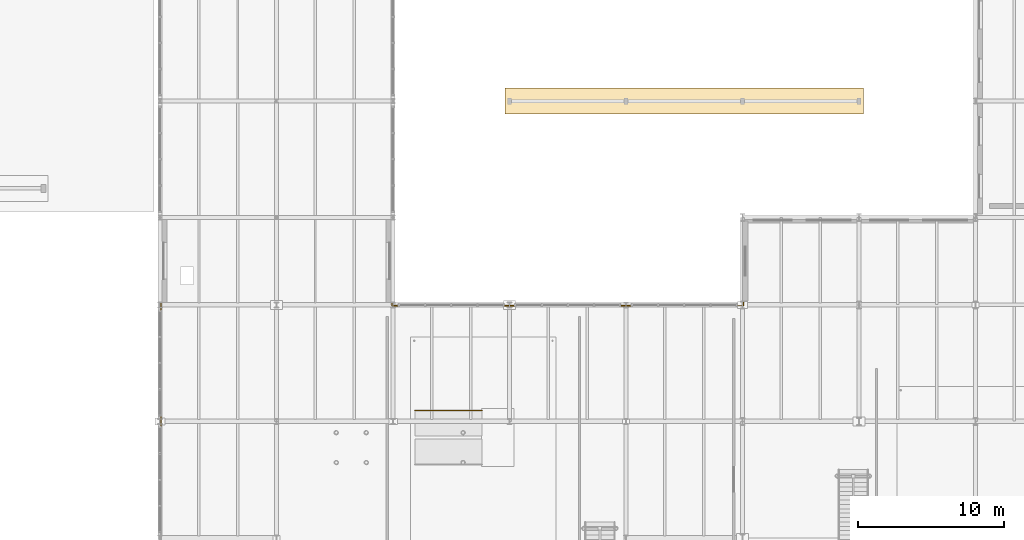
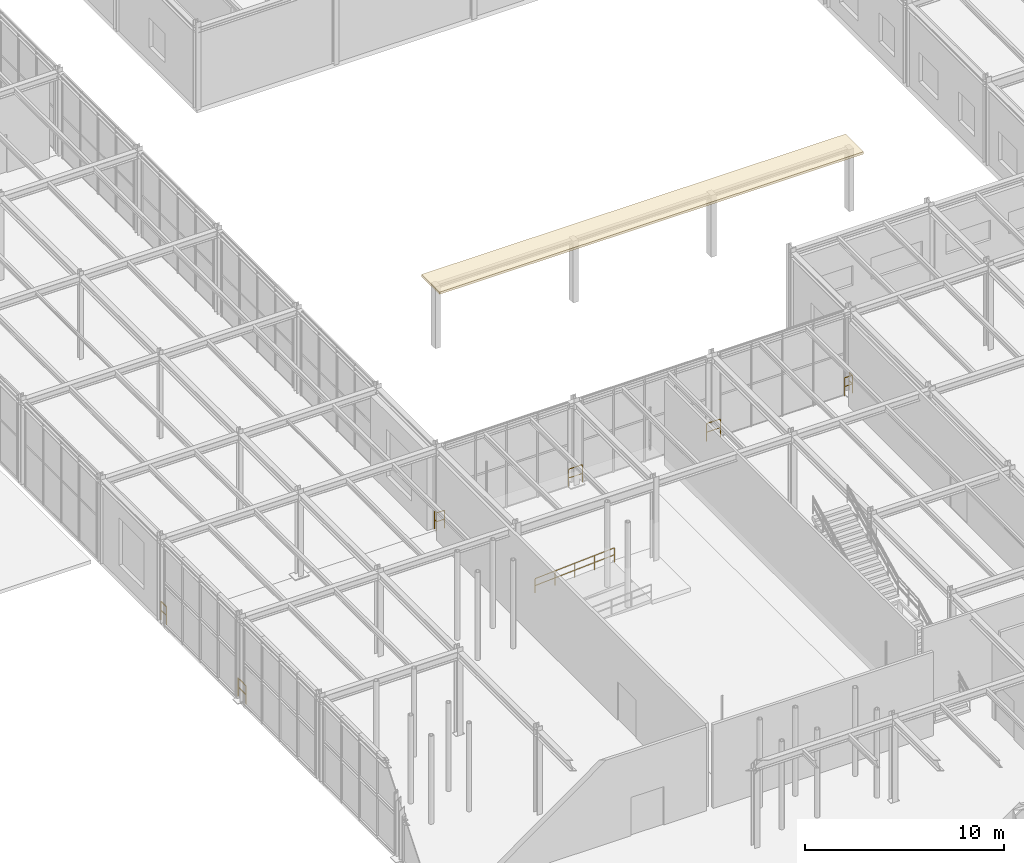
# One storey, part 115 of 129: 7 railings, 1 covering.
"""IFC4 building model written with IfcOpenShell, lengths in metres."""

from ifc_helpers import new_model, si_unit, direction, frame, origin, origin_2d, place, context, subcontext, project, spatial, rectangle, circle, extrude, material, layer, layer_set, type_object, element, save


model = new_model("IFC4")

# Units and contexts
model_context = context("Model", 3, precision=1e-05, world=origin(), true_north=direction((0.0, 1.0)))
body_context = subcontext(model_context, "Body", "Model", "MODEL_VIEW")
ifc_project = project(units=[si_unit("LENGTHUNIT", "METRE"), si_unit("AREAUNIT", "SQUARE_METRE"), si_unit("VOLUMEUNIT", "CUBIC_METRE"), si_unit("PLANEANGLEUNIT", "RADIAN"), si_unit("MASSUNIT", "GRAM", prefix="KILO")], contexts=[model_context])

# Site, building, storey
site_placement = place(None, origin())
site = spatial("IfcSite", under=ifc_project, at=site_placement, CompositionType="ELEMENT")
building_placement = place(site_placement, origin())
building = spatial("IfcBuilding", under=site, at=building_placement, Name="Sundkrona Museum", CompositionType="ELEMENT")
storey_placement = place(building_placement, origin())
storey = spatial("IfcBuildingStorey", under=building, at=storey_placement, Name="L00", CompositionType="ELEMENT", Elevation=0.0)

# Covering
ifc_material_1 = material(Name="Frost-Resistant Vitrified Stoneware Mosaic Cladding", Category="masonry")
ifc_layer = layer(ifc_material_1, 0.044921875)
ifc_layer_set = layer_set([ifc_layer], Name="Frost-Resistant Vitrified Stoneware Mosaic Cladding")
covering_type = type_object("IfcCoveringType", Name="COV-CLD-MOS", PredefinedType="CLADDING", material=ifc_layer_set)
covering_placement = place(storey_placement, frame((116.0, 54.0, 3.80029296875), z_axis=(0.0, 0.0, 1.0), x_axis=(1.0, 0.0, 0.0)))
element("IfcCovering", 1, at=covering_placement, inside=storey, type_object=covering_type, Name="Courtyard Cloister Colonnade Canopy SCN", PredefinedType="CLADDING", context=body_context, shape_type="SweptSolid", body=[
    extrude(rectangle(XDim=24.60009765625, YDim=1.800048828125, at=origin_2d()), origin(), (0.0, 0.0, 1.0), 0.139892578125),
])

# Railings
ifc_material_2 = material(Name="Painted Steel S355J2 and Laminated Glass Balustrade", Category="steel")
railing_type_1 = type_object("IfcRailingType", Name="RL-GUARD-1100", PredefinedType="BALUSTRADE", material=ifc_material_2)
railing_1_placement = place(storey_placement, frame((80.06005859375, 31.60009765625, 0.0)))
element("IfcRailing", 2, at=railing_1_placement, inside=storey, type_object=railing_type_1, Name="L00 Edge Protection Balustrade 016", PredefinedType="BALUSTRADE", context=body_context, shape_type="SweptSolid", body=[
    extrude(circle(Radius=0.02392578125, at=origin_2d()), frame((0.0, 0.0, 1.09619140625), z_axis=(0.0, 1.0, 0.0), x_axis=(-1.0, 0.0, 0.0)), (0.0, 0.0, 1.0), 0.7998046875),
    extrude(circle(Radius=0.02392578125, at=origin_2d()), frame((0.0, 0.0, 0.56005859375), z_axis=(0.0, 1.0, 0.0), x_axis=(-1.0, 0.0, 0.0)), (0.0, 0.0, 1.0), 0.7998046875),
    extrude(circle(Radius=0.02099609375, at=origin_2d()), origin(), (0.0, 0.0, 1.0), 1.072021484375),
    extrude(circle(Radius=0.02099609375, at=origin_2d()), frame((0.0, 0.7998046875, 0.0)), (0.0, 0.0, 1.0), 1.072021484375),
])
railing_2_placement = place(storey_placement, frame((80.06005859375, 39.60009765625, 0.0)))
element("IfcRailing", 3, at=railing_2_placement, inside=storey, type_object=railing_type_1, Name="L00 Edge Protection Balustrade 017", PredefinedType="BALUSTRADE", context=body_context, shape_type="SweptSolid", body=[
    extrude(circle(Radius=0.02392578125, at=origin_2d()), frame((0.0, 0.0, 1.09619140625), z_axis=(0.0, 1.0, 0.0), x_axis=(-1.0, 0.0, 0.0)), (0.0, 0.0, 1.0), 0.5498046875),
    extrude(circle(Radius=0.02392578125, at=origin_2d()), frame((0.0, 0.0, 0.56005859375), z_axis=(0.0, 1.0, 0.0), x_axis=(-1.0, 0.0, 0.0)), (0.0, 0.0, 1.0), 0.5498046875),
    extrude(circle(Radius=0.02099609375, at=origin_2d()), origin(), (0.0, 0.0, 1.0), 1.072021484375),
    extrude(circle(Radius=0.02099609375, at=origin_2d()), frame((0.0, 0.5498046875, 0.0)), (0.0, 0.0, 1.0), 1.072021484375),
])
railing_3_placement = place(storey_placement, frame((95.93994140625, 40.14990234375, 0.0)))
element("IfcRailing", 4, at=railing_3_placement, inside=storey, type_object=railing_type_1, Name="L00 Edge Protection Balustrade 020", PredefinedType="BALUSTRADE", context=body_context, shape_type="SweptSolid", body=[
    extrude(circle(Radius=0.02392578125, at=origin_2d()), frame((0.0, 0.0, 1.09619140625), z_axis=(0.0, -1.0, 0.0), x_axis=(1.0, 0.0, 0.0)), (0.0, 0.0, 1.0), 0.2099609375),
    extrude(circle(Radius=0.02392578125, at=origin_2d()), frame((0.0, 0.0, 0.56005859375), z_axis=(0.0, -1.0, 0.0), x_axis=(1.0, 0.0, 0.0)), (0.0, 0.0, 1.0), 0.2099609375),
    extrude(circle(Radius=0.02392578125, at=origin_2d()), frame((0.0, -0.2099609375, 1.09619140625), z_axis=(1.0, 0.0, 0.0), x_axis=(0.0, 1.0, 0.0)), (0.0, 0.0, 1.0), 0.4599609375),
    extrude(circle(Radius=0.02392578125, at=origin_2d()), frame((0.0, -0.2099609375, 0.56005859375), z_axis=(1.0, 0.0, 0.0), x_axis=(0.0, 1.0, 0.0)), (0.0, 0.0, 1.0), 0.4599609375),
    extrude(circle(Radius=0.02099609375, at=origin_2d()), origin(), (0.0, 0.0, 1.0), 1.072021484375),
    extrude(circle(Radius=0.02099609375, at=origin_2d()), frame((0.0, -0.2099609375, 0.0)), (0.0, 0.0, 1.0), 1.072021484375),
    extrude(circle(Radius=0.02099609375, at=origin_2d()), frame((0.4599609375, -0.2099609375, 0.0)), (0.0, 0.0, 1.0), 1.072021484375),
])
for number, where, name in (
    (5, (103.60009765625, 39.93994140625, 0.0), "L00 Edge Protection Balustrade 022"),
    (6, (111.60009765625, 39.93994140625, 0.0), "L00 Edge Protection Balustrade 023"),
):
    element("IfcRailing", number, at=place(storey_placement, frame(where)), inside=storey, type_object=railing_type_1, Name=name, PredefinedType="BALUSTRADE", context=body_context, shape_type="SweptSolid", body=[
        extrude(circle(Radius=0.02392578125, at=origin_2d()), frame((0.0, 0.0, 1.09619140625), z_axis=(1.0, 0.0, 0.0), x_axis=(0.0, 1.0, 0.0)), (0.0, 0.0, 1.0), 0.7998046875),
        extrude(circle(Radius=0.02392578125, at=origin_2d()), frame((0.0, 0.0, 0.56005859375), z_axis=(1.0, 0.0, 0.0), x_axis=(0.0, 1.0, 0.0)), (0.0, 0.0, 1.0), 0.7998046875),
        extrude(circle(Radius=0.02099609375, at=origin_2d()), origin(), (0.0, 0.0, 1.0), 1.072021484375),
        extrude(circle(Radius=0.02099609375, at=origin_2d()), frame((0.7998046875, 0.0, 0.0)), (0.0, 0.0, 1.0), 1.072021484375),
    ])
railing_4_placement = place(storey_placement, frame((119.60009765625, 39.93994140625, 0.0)))
element("IfcRailing", 7, at=railing_4_placement, inside=storey, type_object=railing_type_1, Name="L00 Edge Protection Balustrade 027", PredefinedType="BALUSTRADE", context=body_context, shape_type="SweptSolid", body=[
    extrude(circle(Radius=0.02392578125, at=origin_2d()), frame((0.0, 0.0, 1.09619140625), z_axis=(1.0, 0.0, 0.0), x_axis=(0.0, 1.0, 0.0)), (0.0, 0.0, 1.0), 0.4599609375),
    extrude(circle(Radius=0.02392578125, at=origin_2d()), frame((0.0, 0.0, 0.56005859375), z_axis=(1.0, 0.0, 0.0), x_axis=(0.0, 1.0, 0.0)), (0.0, 0.0, 1.0), 0.4599609375),
    extrude(circle(Radius=0.02392578125, at=origin_2d()), frame((0.4599609375, 0.0, 1.09619140625), z_axis=(0.0, 1.0, 0.0), x_axis=(-1.0, 0.0, 0.0)), (0.0, 0.0, 1.0), 0.31201171875),
    extrude(circle(Radius=0.02392578125, at=origin_2d()), frame((0.4599609375, 0.0, 0.56005859375), z_axis=(0.0, 1.0, 0.0), x_axis=(-1.0, 0.0, 0.0)), (0.0, 0.0, 1.0), 0.31201171875),
    extrude(circle(Radius=0.02099609375, at=origin_2d()), origin(), (0.0, 0.0, 1.0), 1.072021484375),
    extrude(circle(Radius=0.02099609375, at=origin_2d()), frame((0.4599609375, 0.0, 0.0)), (0.0, 0.0, 1.0), 1.072021484375),
    extrude(circle(Radius=0.02099609375, at=origin_2d()), frame((0.4599609375, 0.31201171875, 0.0)), (0.0, 0.0, 1.0), 1.072021484375),
])
ifc_material_3 = material(Name="Brushed Bronze-Clad Steel Handrail", Category="steel")
railing_type_2 = type_object("IfcRailingType", Name="RL-HAND-900", PredefinedType="HANDRAIL", material=ifc_material_3)
railing_5_placement = place(storey_placement, frame((102.10009765625, 32.75, 0.280029296875)))
element("IfcRailing", 8, at=railing_5_placement, inside=storey, type_object=railing_type_2, Name="RMP-01 Handrail North", PredefinedType="HANDRAIL", context=body_context, shape_type="SweptSolid", body=[
    extrude(circle(Radius=0.02392578125, at=origin_2d()), frame((0.0, 0.0, 0.8759765625), z_axis=(-0.998152272785, 0.0, -0.060762162025), x_axis=(0.0, -1.0, 0.0)), (0.0, 0.0, 1.0), 4.608642578125),
    extrude(circle(Radius=0.02392578125, at=origin_2d()), frame((0.0, 0.0, 0.449951171875), z_axis=(-0.998152272785, 0.0, -0.060762162025), x_axis=(0.0, -1.0, 0.0)), (0.0, 0.0, 1.0), 4.608642578125),
    extrude(circle(Radius=0.02099609375, at=origin_2d()), origin(), (0.0, 0.0, 1.0), 0.851806640625),
    extrude(circle(Radius=0.02099609375, at=origin_2d()), frame((-1.14990234375, 0.0, -0.070068359375)), (0.0, 0.0, 1.0), 0.851806640625),
    extrude(circle(Radius=0.02099609375, at=origin_2d()), frame((-2.300048828125, 0.0, -0.14013671875)), (0.0, 0.0, 1.0), 0.851806640625),
    extrude(circle(Radius=0.02099609375, at=origin_2d()), frame((-3.4501953125, 0.0, -0.2099609375)), (0.0, 0.0, 1.0), 0.851806640625),
    extrude(circle(Radius=0.02099609375, at=origin_2d()), frame((-4.60009765625, 0.0, -0.280029296875)), (0.0, 0.0, 1.0), 0.851806640625),
])

save(model, "model.ifc")
